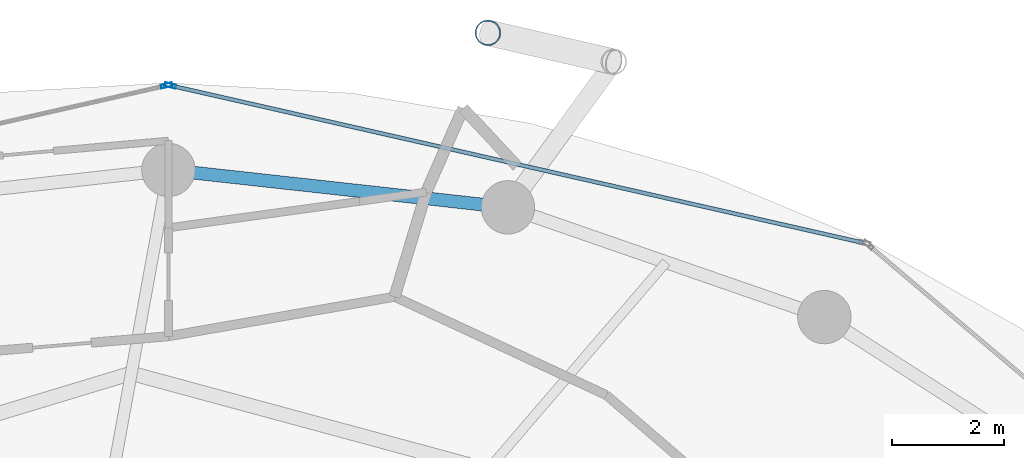
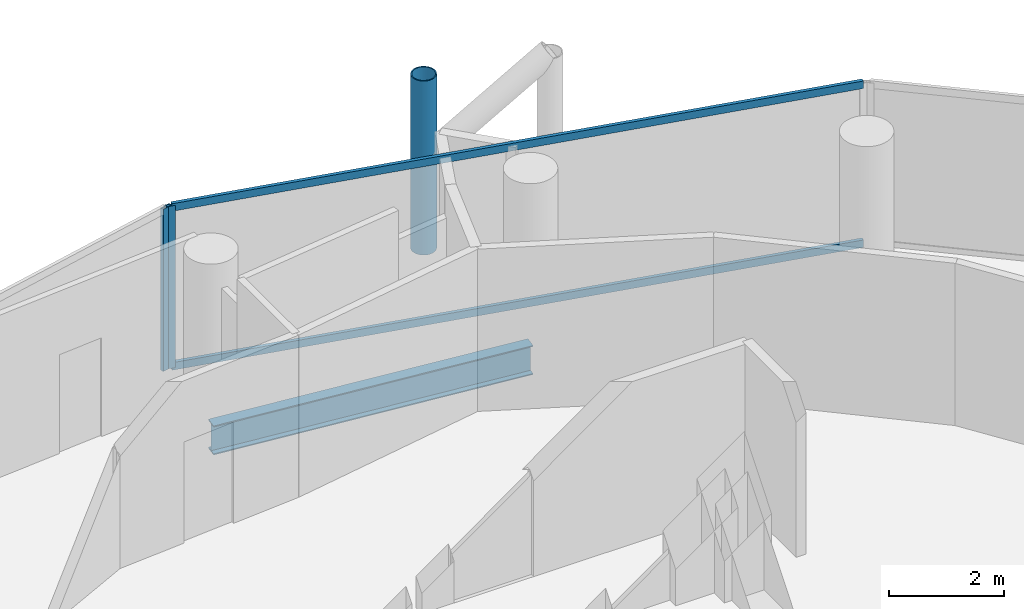
# One storey, part 17 of 26: 5 members, 1 beam, 2 elements without a shape of their own.
"""IFC4 building model written with IfcOpenShell, lengths in metres."""

from ifc_helpers import new_model, si_unit, direction, frame, origin, origin_2d, place, context, subcontext, project, spatial, hollow_rectangle, hollow_circle, i_section, extrude, material, layer, layer_set, material_profile, profile_set, type_object, element, aggregate, save


model = new_model("IFC4")

# Units and contexts
model_context = context("Model", 3, precision=1e-05, world=origin(), true_north=direction((0.0, 1.0)))
body_context = subcontext(model_context, "Body", "Model", "MODEL_VIEW")
ifc_project = project(units=[si_unit("LENGTHUNIT", "METRE"), si_unit("AREAUNIT", "SQUARE_METRE"), si_unit("VOLUMEUNIT", "CUBIC_METRE"), si_unit("PLANEANGLEUNIT", "RADIAN"), si_unit("MASSUNIT", "GRAM", prefix="KILO")], contexts=[model_context])

# Site, building, storey
site_placement = place(None, origin())
site = spatial("IfcSite", under=ifc_project, at=site_placement, CompositionType="ELEMENT")
building_placement = place(site_placement, origin())
building = spatial("IfcBuilding", under=site, at=building_placement, Name="Nuhasar Tower", CompositionType="ELEMENT")
storey_placement = place(building_placement, frame((0.0, 0.0, 170.050048828125)))
storey = spatial("IfcBuildingStorey", under=building, at=storey_placement, Name="L41", CompositionType="ELEMENT", Elevation=170.050048828125)

# Beam
ifc_material_1 = material(Name="Steel S355", Category="steel")
ifc_material_profile_1 = material_profile(ifc_material_1, i_section(OverallWidth=0.22998046875, OverallDepth=0.616943359375, WebThickness=0.01318359375, FlangeThickness=0.022216796875, at=origin_2d()), Name="W24X94")
ifc_profile_set_1 = profile_set([ifc_material_profile_1], Name="Steel S355")
beam_type = type_object("IfcBeamType", Name="BM-RING-W24X94", PredefinedType="SPANDREL", material=ifc_profile_set_1)
beam_placement = place(storey_placement, frame((45.04296875, 45.68408203125, -0.55810546875), z_axis=(-0.993981289157, 0.109549974015, 0.0), x_axis=(-0.109549974015, -0.993981289157, 0.0)))
element("IfcBeam", 1, at=beam_placement, inside=storey, type_object=beam_type, Name="L41 Perimeter Ring Spandrel 06", PredefinedType="SPANDREL", context=body_context, shape_type="SweptSolid", body=[
    extrude(i_section(OverallWidth=0.22998046875, OverallDepth=0.616943359375, WebThickness=0.01318359375, FlangeThickness=0.022216796875, at=origin_2d()), origin(), (0.0, 0.0, 1.0), 6.07958984375),
])

# Curtain wall, member
ifc_material_2 = material(Name="Aluminium 6063-T6", Category="aluminium")
ifc_layer = layer(ifc_material_2, 0.199951171875)
ifc_layer_set = layer_set([ifc_layer], Name="Aluminium 6063-T6")
curtain_wall_type = type_object("IfcCurtainWallType", Name="CW-Z2-HTL", PredefinedType="NOTDEFINED", material=ifc_layer_set)
curtain_wall_1_placement = place(storey_placement, origin())
curtain_wall_1 = element("IfcCurtainWall", 2, at=curtain_wall_1_placement, inside=storey, type_object=curtain_wall_type, Name="L41 Unitised Curtain Wall 03", PredefinedType="NOTDEFINED")
ifc_material_profile_2 = material_profile(ifc_material_2, hollow_rectangle(XDim=0.070068359375, YDim=0.199951171875, WallThickness=0.0048828125, at=origin_2d()), Name="CWM-3")
ifc_profile_set_2 = profile_set([ifc_material_profile_2], Name="Aluminium 6063-T6")
member_type_1 = type_object("IfcMemberType", Name="CW-MUL-S3", PredefinedType="MULLION", material=ifc_profile_set_2)
member_1_placement = place(storey_placement, frame((39.0341796875, 47.852294921875, 0.0), z_axis=(0.0, 0.0, 1.0), x_axis=(-0.22139729566, -0.975183694221, 0.0)))
member_1 = element("IfcMember", 3, at=member_1_placement, type_object=member_type_1, Name="CW-Z2 mullion 2", PredefinedType="MULLION", context=body_context, shape_type="SweptSolid", body=[
    extrude(hollow_rectangle(XDim=0.070068359375, YDim=0.199951171875, WallThickness=0.0048828125, at=origin_2d()), origin(), (0.0, 0.0, 1.0), 3.449951171875),
])

curtain_wall_2_placement = place(storey_placement, origin())
curtain_wall_2 = element("IfcCurtainWall", 4, at=curtain_wall_2_placement, inside=storey, type_object=curtain_wall_type, Name="L41 Unitised Curtain Wall 04", PredefinedType="NOTDEFINED")
member_2_placement = place(storey_placement, frame((38.9658203125, 47.852294921875, 0.0), z_axis=(0.0, 0.0, 1.0), x_axis=(0.22139729566, -0.975183694221, 0.0)))
member_2 = element("IfcMember", 5, at=member_2_placement, type_object=member_type_1, Name="CW-Z2 mullion 1", PredefinedType="MULLION", context=body_context, shape_type="SweptSolid", body=[
    extrude(hollow_rectangle(XDim=0.070068359375, YDim=0.199951171875, WallThickness=0.0048828125, at=origin_2d()), origin(), (0.0, 0.0, 1.0), 3.449951171875),
])
aggregate(curtain_wall_2, [member_2])

# Member
ifc_material_profile_3 = material_profile(ifc_material_2, hollow_rectangle(XDim=0.070068359375, YDim=0.159912109375, WallThickness=0.00439453125, at=origin_2d()), Name="CWT-3")
ifc_profile_set_3 = profile_set([ifc_material_profile_3], Name="Aluminium 6063-T6")
member_type_2 = type_object("IfcMemberType", Name="CW-TRN-S3", PredefinedType="USERDEFINED", material=ifc_profile_set_3)
member_3_placement = place(storey_placement, frame((51.36181640625, 45.053466796875, 0.034912109375), z_axis=(-0.975183434528, 0.221398439519, 0.0), x_axis=(-0.221398439519, -0.975183434528, 0.0)))
member_3 = element("IfcMember", 6, at=member_3_placement, type_object=member_type_2, Name="CW-Z2 transom 1.1", ObjectType="TRANSOM", PredefinedType="USERDEFINED", context=body_context, shape_type="SweptSolid", body=[
    extrude(hollow_rectangle(XDim=0.070068359375, YDim=0.159912109375, WallThickness=0.00439453125, at=origin_2d()), origin(), (0.0, 0.0, 1.0), 12.606201171875),
])

member_4_placement = place(storey_placement, frame((51.36181640625, 45.053466796875, 3.4150390625), z_axis=(-0.975183434528, 0.221398439519, 0.0), x_axis=(-0.221398439519, -0.975183434528, 0.0)))
member_4 = element("IfcMember", 7, at=member_4_placement, type_object=member_type_2, Name="CW-Z2 transom 1.2", ObjectType="TRANSOM", PredefinedType="USERDEFINED", context=body_context, shape_type="SweptSolid", body=[
    extrude(hollow_rectangle(XDim=0.070068359375, YDim=0.159912109375, WallThickness=0.00439453125, at=origin_2d()), origin(), (0.0, 0.0, 1.0), 12.606201171875),
])

aggregate(curtain_wall_1, [member_1, member_3, member_4])

ifc_material_3 = material(Name="Steel S460", Category="steel")
ifc_material_profile_4 = material_profile(ifc_material_3, hollow_circle(Radius=0.228515625, WallThickness=0.022216796875, at=origin_2d()), Name="HSS457X22.2")
ifc_profile_set_4 = profile_set([ifc_material_profile_4], Name="Steel S460")
member_type_3 = type_object("IfcMemberType", Name="EXO-BRONZE-457", PredefinedType="BRACE", material=ifc_profile_set_4)
member_5_placement = place(storey_placement, frame((44.68603515625, 48.7900390625, 0.0), z_axis=(0.0, 0.0, 1.0), x_axis=(1.0, 0.0, 0.0)))
element("IfcMember", 8, at=member_5_placement, inside=storey, type_object=member_type_3, Name="L41 Exoskeleton Chord Column EC-03B", PredefinedType="BRACE", context=body_context, shape_type="SweptSolid", body=[
    extrude(hollow_circle(Radius=0.228515625, WallThickness=0.022216796875, at=origin_2d()), origin(), (0.0, 0.0, 1.0), 3.699951171875),
])

save(model, "model.ifc")
